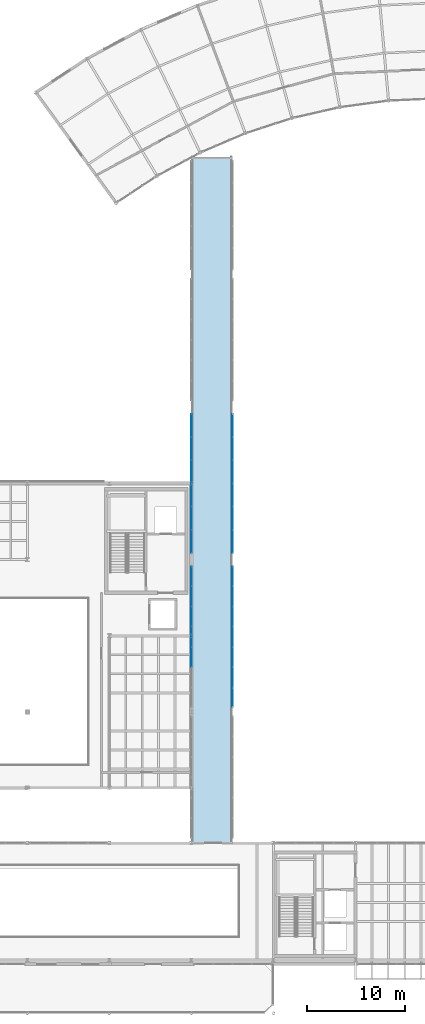
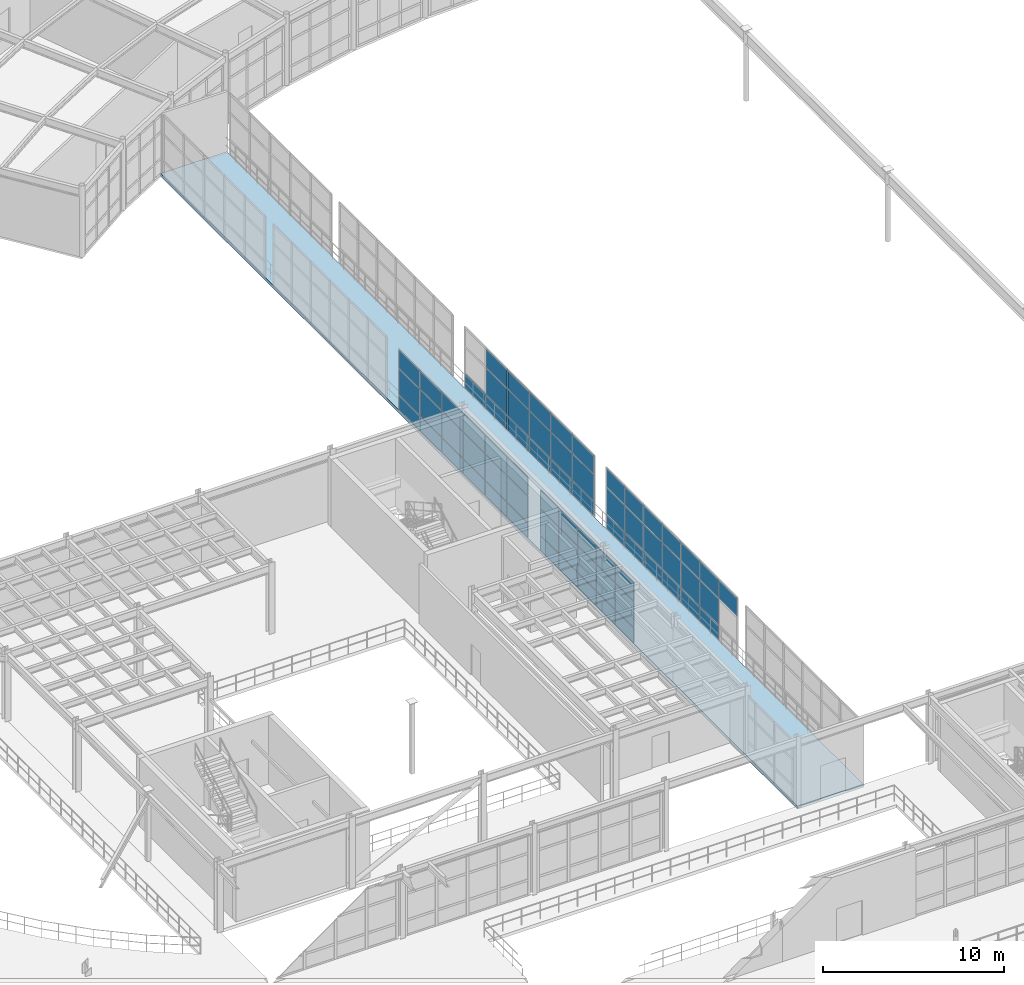
# One storey, part 86 of 116: 68 plates, 1 slab, 4 elements without a shape of their own.
"""IFC4 building model written with IfcOpenShell, lengths in metres."""

from ifc_helpers import new_model, si_unit, direction, frame, origin, origin_2d, place, context, subcontext, project, spatial, polyline, rectangle, outline, extrude, material, layer, layer_set, type_object, element, aggregate, save


model = new_model("IFC4")

# Units and contexts
model_context = context("Model", 3, precision=1e-05, world=origin(), true_north=direction((0.0, 1.0)))
body_context = subcontext(model_context, "Body", "Model", "MODEL_VIEW")
ifc_project = project(units=[si_unit("LENGTHUNIT", "METRE"), si_unit("AREAUNIT", "SQUARE_METRE"), si_unit("VOLUMEUNIT", "CUBIC_METRE"), si_unit("PLANEANGLEUNIT", "RADIAN"), si_unit("MASSUNIT", "GRAM", prefix="KILO")], contexts=[model_context])

# Site, building, storey
site_placement = place(None, origin())
site = spatial("IfcSite", under=ifc_project, at=site_placement, CompositionType="ELEMENT")
building_placement = place(site_placement, origin())
building = spatial("IfcBuilding", under=site, at=building_placement, Name="Selat Folded Stagehouse", CompositionType="ELEMENT")
storey_placement = place(building_placement, frame((0.0, 0.0, 5.39990234375)))
storey = spatial("IfcBuildingStorey", under=building, at=storey_placement, Name="L01", CompositionType="ELEMENT", Elevation=5.39990234375)

# Curtain wall, plates
ifc_material_1 = material(Name="Aluminium 6063-T6", Category="aluminium")
ifc_layer_1 = layer(ifc_material_1, 0.175048828125)
ifc_layer_set_1 = layer_set([ifc_layer_1], Name="Aluminium 6063-T6")
curtain_wall_type = type_object("IfcCurtainWallType", Name="CW-BRG-GLAZ", PredefinedType="NOTDEFINED", material=ifc_layer_set_1)
curtain_wall_1_placement = place(storey_placement, origin())
curtain_wall_1 = element("IfcCurtainWall", 1, at=curtain_wall_1_placement, inside=storey, type_object=curtain_wall_type, Name="L01 curtain wall CW-BRG-02", PredefinedType="NOTDEFINED")
ifc_material_2 = material(Name="Clear laminated double glazing", Category="glass")
ifc_layer_2 = layer(ifc_material_2, 0.028076171875)
ifc_layer_set_2 = layer_set([ifc_layer_2], Name="Clear laminated double glazing")
plate_type_1 = type_object("IfcPlateType", Name="CWP-GLZ-DGU28", PredefinedType="CURTAIN_PANEL", material=ifc_layer_set_2)
plate_1_placement = place(storey_placement, frame((67.199951171875, 36.82861328125, 0.06494140625), z_axis=(0.0, 0.0, 1.0), x_axis=(0.0, 1.0, 0.0)))
plate_1 = element("IfcPlate", 2, at=plate_1_placement, type_object=plate_type_1, Name="CW-07 panel 3.1", PredefinedType="CURTAIN_PANEL", context=body_context, shape_type="SweptSolid", body=[
    extrude(rectangle(XDim=2.011474609375, YDim=0.028076171875, at=origin_2d()), origin(), (0.0, 0.0, 1.0), 0.952392578125),
])
plate_2_placement = place(storey_placement, frame((67.199951171875, 36.82861328125, 1.08251953125), z_axis=(0.0, 0.0, 1.0), x_axis=(0.0, 1.0, 0.0)))
plate_2 = element("IfcPlate", 3, at=plate_2_placement, type_object=plate_type_1, Name="CW-07 panel 3.2", PredefinedType="CURTAIN_PANEL", context=body_context, shape_type="SweptSolid", body=[
    extrude(rectangle(XDim=2.011474609375, YDim=0.028076171875, at=origin_2d()), origin(), (0.0, 0.0, 1.0), 1.735107421875),
])
plate_3_placement = place(storey_placement, frame((67.199951171875, 36.82861328125, 2.8828125), z_axis=(0.0, 0.0, 1.0), x_axis=(0.0, 1.0, 0.0)))
plate_3 = element("IfcPlate", 4, at=plate_3_placement, type_object=plate_type_1, Name="CW-07 panel 3.3", PredefinedType="CURTAIN_PANEL", context=body_context, shape_type="SweptSolid", body=[
    extrude(rectangle(XDim=2.011474609375, YDim=0.028076171875, at=origin_2d()), origin(), (0.0, 0.0, 1.0), 1.202392578125),
])
plate_4_placement = place(storey_placement, frame((67.199951171875, 38.89990234375, 0.06494140625), z_axis=(0.0, 0.0, 1.0), x_axis=(0.0, 1.0, 0.0)))
plate_4 = element("IfcPlate", 5, at=plate_4_placement, type_object=plate_type_1, Name="CW-07 panel 4.1", PredefinedType="CURTAIN_PANEL", context=body_context, shape_type="SweptSolid", body=[
    extrude(rectangle(XDim=2.011474609375, YDim=0.028076171875, at=origin_2d()), origin(), (0.0, 0.0, 1.0), 0.952392578125),
])
plate_5_placement = place(storey_placement, frame((67.199951171875, 38.89990234375, 1.08251953125), z_axis=(0.0, 0.0, 1.0), x_axis=(0.0, 1.0, 0.0)))
plate_5 = element("IfcPlate", 6, at=plate_5_placement, type_object=plate_type_1, Name="CW-07 panel 4.2", PredefinedType="CURTAIN_PANEL", context=body_context, shape_type="SweptSolid", body=[
    extrude(rectangle(XDim=2.011474609375, YDim=0.028076171875, at=origin_2d()), origin(), (0.0, 0.0, 1.0), 1.735107421875),
])
plate_6_placement = place(storey_placement, frame((67.199951171875, 38.89990234375, 2.8828125), z_axis=(0.0, 0.0, 1.0), x_axis=(0.0, 1.0, 0.0)))
plate_6 = element("IfcPlate", 7, at=plate_6_placement, type_object=plate_type_1, Name="CW-07 panel 4.3", PredefinedType="CURTAIN_PANEL", context=body_context, shape_type="SweptSolid", body=[
    extrude(rectangle(XDim=2.011474609375, YDim=0.028076171875, at=origin_2d()), origin(), (0.0, 0.0, 1.0), 1.202392578125),
])
plate_7_placement = place(storey_placement, frame((67.199951171875, 40.971435546875, 0.06494140625), z_axis=(0.0, 0.0, 1.0), x_axis=(0.0, 1.0, 0.0)))
plate_7 = element("IfcPlate", 8, at=plate_7_placement, type_object=plate_type_1, Name="CW-07 panel 5.1", PredefinedType="CURTAIN_PANEL", context=body_context, shape_type="SweptSolid", body=[
    extrude(rectangle(XDim=2.011474609375, YDim=0.028076171875, at=origin_2d()), origin(), (0.0, 0.0, 1.0), 0.952392578125),
])
plate_8_placement = place(storey_placement, frame((67.199951171875, 40.971435546875, 1.08251953125), z_axis=(0.0, 0.0, 1.0), x_axis=(0.0, 1.0, 0.0)))
plate_8 = element("IfcPlate", 9, at=plate_8_placement, type_object=plate_type_1, Name="CW-07 panel 5.2", PredefinedType="CURTAIN_PANEL", context=body_context, shape_type="SweptSolid", body=[
    extrude(rectangle(XDim=2.011474609375, YDim=0.028076171875, at=origin_2d()), origin(), (0.0, 0.0, 1.0), 1.735107421875),
])
plate_9_placement = place(storey_placement, frame((67.199951171875, 40.971435546875, 2.8828125), z_axis=(0.0, 0.0, 1.0), x_axis=(0.0, 1.0, 0.0)))
plate_9 = element("IfcPlate", 10, at=plate_9_placement, type_object=plate_type_1, Name="CW-07 panel 5.3", PredefinedType="CURTAIN_PANEL", context=body_context, shape_type="SweptSolid", body=[
    extrude(rectangle(XDim=2.011474609375, YDim=0.028076171875, at=origin_2d()), origin(), (0.0, 0.0, 1.0), 1.202392578125),
])
plate_10_placement = place(storey_placement, frame((67.199951171875, 43.04296875, 0.06494140625), z_axis=(0.0, 0.0, 1.0), x_axis=(0.0, 1.0, 0.0)))
plate_10 = element("IfcPlate", 11, at=plate_10_placement, type_object=plate_type_1, Name="CW-07 panel 6.1", PredefinedType="CURTAIN_PANEL", context=body_context, shape_type="SweptSolid", body=[
    extrude(rectangle(XDim=2.011474609375, YDim=0.028076171875, at=origin_2d()), origin(), (0.0, 0.0, 1.0), 0.952392578125),
])
plate_11_placement = place(storey_placement, frame((67.199951171875, 43.04296875, 1.08251953125), z_axis=(0.0, 0.0, 1.0), x_axis=(0.0, 1.0, 0.0)))
plate_11 = element("IfcPlate", 12, at=plate_11_placement, type_object=plate_type_1, Name="CW-07 panel 6.2", PredefinedType="CURTAIN_PANEL", context=body_context, shape_type="SweptSolid", body=[
    extrude(rectangle(XDim=2.011474609375, YDim=0.028076171875, at=origin_2d()), origin(), (0.0, 0.0, 1.0), 1.735107421875),
])
plate_12_placement = place(storey_placement, frame((67.199951171875, 43.04296875, 2.8828125), z_axis=(0.0, 0.0, 1.0), x_axis=(0.0, 1.0, 0.0)))
plate_12 = element("IfcPlate", 13, at=plate_12_placement, type_object=plate_type_1, Name="CW-07 panel 6.3", PredefinedType="CURTAIN_PANEL", context=body_context, shape_type="SweptSolid", body=[
    extrude(rectangle(XDim=2.011474609375, YDim=0.028076171875, at=origin_2d()), origin(), (0.0, 0.0, 1.0), 1.202392578125),
])
plate_13_placement = place(storey_placement, frame((67.199951171875, 45.099365234375, 0.06494140625), z_axis=(0.0, 0.0, 1.0), x_axis=(0.0, 1.0, 0.0)))
plate_13 = element("IfcPlate", 14, at=plate_13_placement, type_object=plate_type_1, Name="CW-07 panel 7.1", PredefinedType="CURTAIN_PANEL", context=body_context, shape_type="SweptSolid", body=[
    extrude(rectangle(XDim=1.9814453125, YDim=0.028076171875, at=origin_2d()), origin(), (0.0, 0.0, 1.0), 0.952392578125),
])
plate_14_placement = place(storey_placement, frame((67.199951171875, 45.099365234375, 1.08251953125), z_axis=(0.0, 0.0, 1.0), x_axis=(0.0, 1.0, 0.0)))
plate_14 = element("IfcPlate", 15, at=plate_14_placement, type_object=plate_type_1, Name="CW-07 panel 7.2", PredefinedType="CURTAIN_PANEL", context=body_context, shape_type="SweptSolid", body=[
    extrude(rectangle(XDim=1.9814453125, YDim=0.028076171875, at=origin_2d()), origin(), (0.0, 0.0, 1.0), 1.735107421875),
])
plate_15_placement = place(storey_placement, frame((67.199951171875, 45.099365234375, 2.8828125), z_axis=(0.0, 0.0, 1.0), x_axis=(0.0, 1.0, 0.0)))
plate_15 = element("IfcPlate", 16, at=plate_15_placement, type_object=plate_type_1, Name="CW-07 panel 7.3", PredefinedType="CURTAIN_PANEL", context=body_context, shape_type="SweptSolid", body=[
    extrude(rectangle(XDim=1.9814453125, YDim=0.028076171875, at=origin_2d()), origin(), (0.0, 0.0, 1.0), 1.202392578125),
])
aggregate(curtain_wall_1, [plate_1, plate_2, plate_3, plate_4, plate_5, plate_6, plate_7, plate_8, plate_9, plate_10, plate_11, plate_12, plate_13, plate_14, plate_15])

curtain_wall_2_placement = place(storey_placement, origin())
curtain_wall_2 = element("IfcCurtainWall", 17, at=curtain_wall_2_placement, inside=storey, type_object=curtain_wall_type, Name="L01 curtain wall CW-BRG-03", PredefinedType="NOTDEFINED")
plate_16_placement = place(storey_placement, frame((67.199951171875, 48.65673828125, 0.06494140625), z_axis=(0.0, 0.0, 1.0), x_axis=(0.0, 1.0, 0.0)))
plate_16 = element("IfcPlate", 18, at=plate_16_placement, type_object=plate_type_1, Name="CW-07 panel 1.1", PredefinedType="CURTAIN_PANEL", context=body_context, shape_type="SweptSolid", body=[
    extrude(rectangle(XDim=2.293212890625, YDim=0.028076171875, at=origin_2d()), origin(), (0.0, 0.0, 1.0), 0.952392578125),
])
plate_17_placement = place(storey_placement, frame((67.199951171875, 48.65673828125, 1.08251953125), z_axis=(0.0, 0.0, 1.0), x_axis=(0.0, 1.0, 0.0)))
plate_17 = element("IfcPlate", 19, at=plate_17_placement, type_object=plate_type_1, Name="CW-07 panel 1.2", PredefinedType="CURTAIN_PANEL", context=body_context, shape_type="SweptSolid", body=[
    extrude(rectangle(XDim=2.293212890625, YDim=0.028076171875, at=origin_2d()), origin(), (0.0, 0.0, 1.0), 1.735107421875),
])
plate_18_placement = place(storey_placement, frame((67.199951171875, 48.65673828125, 2.8828125), z_axis=(0.0, 0.0, 1.0), x_axis=(0.0, 1.0, 0.0)))
plate_18 = element("IfcPlate", 20, at=plate_18_placement, type_object=plate_type_1, Name="CW-07 panel 1.3", PredefinedType="CURTAIN_PANEL", context=body_context, shape_type="SweptSolid", body=[
    extrude(rectangle(XDim=2.293212890625, YDim=0.028076171875, at=origin_2d()), origin(), (0.0, 0.0, 1.0), 1.202392578125),
])
plate_19_placement = place(storey_placement, frame((67.199951171875, 51.02490234375, 0.06494140625), z_axis=(0.0, 0.0, 1.0), x_axis=(0.0, 1.0, 0.0)))
plate_19 = element("IfcPlate", 21, at=plate_19_placement, type_object=plate_type_1, Name="CW-07 panel 2.1", PredefinedType="CURTAIN_PANEL", context=body_context, shape_type="SweptSolid", body=[
    extrude(rectangle(XDim=2.3232421875, YDim=0.028076171875, at=origin_2d()), origin(), (0.0, 0.0, 1.0), 0.952392578125),
])
plate_20_placement = place(storey_placement, frame((67.199951171875, 51.02490234375, 1.08251953125), z_axis=(0.0, 0.0, 1.0), x_axis=(0.0, 1.0, 0.0)))
plate_20 = element("IfcPlate", 22, at=plate_20_placement, type_object=plate_type_1, Name="CW-07 panel 2.2", PredefinedType="CURTAIN_PANEL", context=body_context, shape_type="SweptSolid", body=[
    extrude(rectangle(XDim=2.3232421875, YDim=0.028076171875, at=origin_2d()), origin(), (0.0, 0.0, 1.0), 1.735107421875),
])
plate_21_placement = place(storey_placement, frame((67.199951171875, 51.02490234375, 2.8828125), z_axis=(0.0, 0.0, 1.0), x_axis=(0.0, 1.0, 0.0)))
plate_21 = element("IfcPlate", 23, at=plate_21_placement, type_object=plate_type_1, Name="CW-07 panel 2.3", PredefinedType="CURTAIN_PANEL", context=body_context, shape_type="SweptSolid", body=[
    extrude(rectangle(XDim=2.3232421875, YDim=0.028076171875, at=origin_2d()), origin(), (0.0, 0.0, 1.0), 1.202392578125),
])
plate_22_placement = place(storey_placement, frame((67.199951171875, 53.408447265625, 0.06494140625), z_axis=(0.0, 0.0, 1.0), x_axis=(0.0, 1.0, 0.0)))
plate_22 = element("IfcPlate", 24, at=plate_22_placement, type_object=plate_type_1, Name="CW-07 panel 3.1", PredefinedType="CURTAIN_PANEL", context=body_context, shape_type="SweptSolid", body=[
    extrude(rectangle(XDim=2.3232421875, YDim=0.028076171875, at=origin_2d()), origin(), (0.0, 0.0, 1.0), 0.952392578125),
])
plate_23_placement = place(storey_placement, frame((67.199951171875, 53.408447265625, 1.08251953125), z_axis=(0.0, 0.0, 1.0), x_axis=(0.0, 1.0, 0.0)))
plate_23 = element("IfcPlate", 25, at=plate_23_placement, type_object=plate_type_1, Name="CW-07 panel 3.2", PredefinedType="CURTAIN_PANEL", context=body_context, shape_type="SweptSolid", body=[
    extrude(rectangle(XDim=2.3232421875, YDim=0.028076171875, at=origin_2d()), origin(), (0.0, 0.0, 1.0), 1.735107421875),
])
plate_24_placement = place(storey_placement, frame((67.199951171875, 53.408447265625, 2.8828125), z_axis=(0.0, 0.0, 1.0), x_axis=(0.0, 1.0, 0.0)))
plate_24 = element("IfcPlate", 26, at=plate_24_placement, type_object=plate_type_1, Name="CW-07 panel 3.3", PredefinedType="CURTAIN_PANEL", context=body_context, shape_type="SweptSolid", body=[
    extrude(rectangle(XDim=2.3232421875, YDim=0.028076171875, at=origin_2d()), origin(), (0.0, 0.0, 1.0), 1.202392578125),
])
plate_25_placement = place(storey_placement, frame((67.199951171875, 55.791748046875, 0.06494140625), z_axis=(0.0, 0.0, 1.0), x_axis=(0.0, 1.0, 0.0)))
plate_25 = element("IfcPlate", 27, at=plate_25_placement, type_object=plate_type_1, Name="CW-07 panel 4.1", PredefinedType="CURTAIN_PANEL", context=body_context, shape_type="SweptSolid", body=[
    extrude(rectangle(XDim=2.3232421875, YDim=0.028076171875, at=origin_2d()), origin(), (0.0, 0.0, 1.0), 0.952392578125),
])
plate_26_placement = place(storey_placement, frame((67.199951171875, 55.791748046875, 1.08251953125), z_axis=(0.0, 0.0, 1.0), x_axis=(0.0, 1.0, 0.0)))
plate_26 = element("IfcPlate", 28, at=plate_26_placement, type_object=plate_type_1, Name="CW-07 panel 4.2", PredefinedType="CURTAIN_PANEL", context=body_context, shape_type="SweptSolid", body=[
    extrude(rectangle(XDim=2.3232421875, YDim=0.028076171875, at=origin_2d()), origin(), (0.0, 0.0, 1.0), 1.735107421875),
])
plate_27_placement = place(storey_placement, frame((67.199951171875, 55.791748046875, 2.8828125), z_axis=(0.0, 0.0, 1.0), x_axis=(0.0, 1.0, 0.0)))
plate_27 = element("IfcPlate", 29, at=plate_27_placement, type_object=plate_type_1, Name="CW-07 panel 4.3", PredefinedType="CURTAIN_PANEL", context=body_context, shape_type="SweptSolid", body=[
    extrude(rectangle(XDim=2.3232421875, YDim=0.028076171875, at=origin_2d()), origin(), (0.0, 0.0, 1.0), 1.202392578125),
])
plate_28_placement = place(storey_placement, frame((67.199951171875, 58.175048828125, 0.06494140625), z_axis=(0.0, 0.0, 1.0), x_axis=(0.0, 1.0, 0.0)))
plate_28 = element("IfcPlate", 30, at=plate_28_placement, type_object=plate_type_1, Name="CW-07 panel 5.1", PredefinedType="CURTAIN_PANEL", context=body_context, shape_type="SweptSolid", body=[
    extrude(rectangle(XDim=2.3232421875, YDim=0.028076171875, at=origin_2d()), origin(), (0.0, 0.0, 1.0), 0.952392578125),
])
plate_29_placement = place(storey_placement, frame((67.199951171875, 58.175048828125, 1.08251953125), z_axis=(0.0, 0.0, 1.0), x_axis=(0.0, 1.0, 0.0)))
plate_29 = element("IfcPlate", 31, at=plate_29_placement, type_object=plate_type_1, Name="CW-07 panel 5.2", PredefinedType="CURTAIN_PANEL", context=body_context, shape_type="SweptSolid", body=[
    extrude(rectangle(XDim=2.3232421875, YDim=0.028076171875, at=origin_2d()), origin(), (0.0, 0.0, 1.0), 1.735107421875),
])
plate_30_placement = place(storey_placement, frame((67.199951171875, 58.175048828125, 2.8828125), z_axis=(0.0, 0.0, 1.0), x_axis=(0.0, 1.0, 0.0)))
plate_30 = element("IfcPlate", 32, at=plate_30_placement, type_object=plate_type_1, Name="CW-07 panel 5.3", PredefinedType="CURTAIN_PANEL", context=body_context, shape_type="SweptSolid", body=[
    extrude(rectangle(XDim=2.3232421875, YDim=0.028076171875, at=origin_2d()), origin(), (0.0, 0.0, 1.0), 1.202392578125),
])
plate_31_placement = place(storey_placement, frame((67.199951171875, 60.543212890625, 0.06494140625), z_axis=(0.0, 0.0, 1.0), x_axis=(0.0, 1.0, 0.0)))
plate_31 = element("IfcPlate", 33, at=plate_31_placement, type_object=plate_type_1, Name="CW-07 panel 6.1", PredefinedType="CURTAIN_PANEL", context=body_context, shape_type="SweptSolid", body=[
    extrude(rectangle(XDim=2.293212890625, YDim=0.028076171875, at=origin_2d()), origin(), (0.0, 0.0, 1.0), 0.952392578125),
])
plate_32_placement = place(storey_placement, frame((67.199951171875, 60.543212890625, 1.08251953125), z_axis=(0.0, 0.0, 1.0), x_axis=(0.0, 1.0, 0.0)))
plate_32 = element("IfcPlate", 34, at=plate_32_placement, type_object=plate_type_1, Name="CW-07 panel 6.2", PredefinedType="CURTAIN_PANEL", context=body_context, shape_type="SweptSolid", body=[
    extrude(rectangle(XDim=2.293212890625, YDim=0.028076171875, at=origin_2d()), origin(), (0.0, 0.0, 1.0), 1.735107421875),
])
plate_33_placement = place(storey_placement, frame((67.199951171875, 60.543212890625, 2.8828125), z_axis=(0.0, 0.0, 1.0), x_axis=(0.0, 1.0, 0.0)))
plate_33 = element("IfcPlate", 35, at=plate_33_placement, type_object=plate_type_1, Name="CW-07 panel 6.3", PredefinedType="CURTAIN_PANEL", context=body_context, shape_type="SweptSolid", body=[
    extrude(rectangle(XDim=2.293212890625, YDim=0.028076171875, at=origin_2d()), origin(), (0.0, 0.0, 1.0), 1.202392578125),
])
aggregate(curtain_wall_2, [plate_16, plate_17, plate_18, plate_19, plate_20, plate_21, plate_22, plate_23, plate_24, plate_25, plate_26, plate_27, plate_28, plate_29, plate_30, plate_31, plate_32, plate_33])

curtain_wall_3_placement = place(storey_placement, origin())
curtain_wall_3 = element("IfcCurtainWall", 36, at=curtain_wall_3_placement, inside=storey, type_object=curtain_wall_type, Name="L01 curtain wall CW-BRG-07", PredefinedType="NOTDEFINED")
plate_34_placement = place(storey_placement, frame((71.39990234375, 45.099365234375, 0.06494140625), z_axis=(0.0, 0.0, 1.0), x_axis=(0.0, -1.0, 0.0)))
plate_34 = element("IfcPlate", 37, at=plate_34_placement, type_object=plate_type_1, Name="CW-07 panel 1.1", PredefinedType="CURTAIN_PANEL", context=body_context, shape_type="SweptSolid", body=[
    extrude(rectangle(XDim=1.9814453125, YDim=0.028076171875, at=origin_2d()), origin(), (0.0, 0.0, 1.0), 0.952392578125),
])
plate_35_placement = place(storey_placement, frame((71.39990234375, 45.099365234375, 1.08251953125), z_axis=(0.0, 0.0, 1.0), x_axis=(0.0, -1.0, 0.0)))
plate_35 = element("IfcPlate", 38, at=plate_35_placement, type_object=plate_type_1, Name="CW-07 panel 1.2", PredefinedType="CURTAIN_PANEL", context=body_context, shape_type="SweptSolid", body=[
    extrude(rectangle(XDim=1.9814453125, YDim=0.028076171875, at=origin_2d()), origin(), (0.0, 0.0, 1.0), 1.735107421875),
])
plate_36_placement = place(storey_placement, frame((71.39990234375, 45.099365234375, 2.8828125), z_axis=(0.0, 0.0, 1.0), x_axis=(0.0, -1.0, 0.0)))
plate_36 = element("IfcPlate", 39, at=plate_36_placement, type_object=plate_type_1, Name="CW-07 panel 1.3", PredefinedType="CURTAIN_PANEL", context=body_context, shape_type="SweptSolid", body=[
    extrude(rectangle(XDim=1.9814453125, YDim=0.028076171875, at=origin_2d()), origin(), (0.0, 0.0, 1.0), 1.202392578125),
])
plate_37_placement = place(storey_placement, frame((71.39990234375, 43.04296875, 0.06494140625), z_axis=(0.0, 0.0, 1.0), x_axis=(0.0, -1.0, 0.0)))
plate_37 = element("IfcPlate", 40, at=plate_37_placement, type_object=plate_type_1, Name="CW-07 panel 2.1", PredefinedType="CURTAIN_PANEL", context=body_context, shape_type="SweptSolid", body=[
    extrude(rectangle(XDim=2.011474609375, YDim=0.028076171875, at=origin_2d()), origin(), (0.0, 0.0, 1.0), 0.952392578125),
])
plate_38_placement = place(storey_placement, frame((71.39990234375, 43.04296875, 1.08251953125), z_axis=(0.0, 0.0, 1.0), x_axis=(0.0, -1.0, 0.0)))
plate_38 = element("IfcPlate", 41, at=plate_38_placement, type_object=plate_type_1, Name="CW-07 panel 2.2", PredefinedType="CURTAIN_PANEL", context=body_context, shape_type="SweptSolid", body=[
    extrude(rectangle(XDim=2.011474609375, YDim=0.028076171875, at=origin_2d()), origin(), (0.0, 0.0, 1.0), 1.735107421875),
])
plate_39_placement = place(storey_placement, frame((71.39990234375, 43.04296875, 2.8828125), z_axis=(0.0, 0.0, 1.0), x_axis=(0.0, -1.0, 0.0)))
plate_39 = element("IfcPlate", 42, at=plate_39_placement, type_object=plate_type_1, Name="CW-07 panel 2.3", PredefinedType="CURTAIN_PANEL", context=body_context, shape_type="SweptSolid", body=[
    extrude(rectangle(XDim=2.011474609375, YDim=0.028076171875, at=origin_2d()), origin(), (0.0, 0.0, 1.0), 1.202392578125),
])
plate_40_placement = place(storey_placement, frame((71.39990234375, 40.971435546875, 0.06494140625), z_axis=(0.0, 0.0, 1.0), x_axis=(0.0, -1.0, 0.0)))
plate_40 = element("IfcPlate", 43, at=plate_40_placement, type_object=plate_type_1, Name="CW-07 panel 3.1", PredefinedType="CURTAIN_PANEL", context=body_context, shape_type="SweptSolid", body=[
    extrude(rectangle(XDim=2.011474609375, YDim=0.028076171875, at=origin_2d()), origin(), (0.0, 0.0, 1.0), 0.952392578125),
])
plate_41_placement = place(storey_placement, frame((71.39990234375, 40.971435546875, 1.08251953125), z_axis=(0.0, 0.0, 1.0), x_axis=(0.0, -1.0, 0.0)))
plate_41 = element("IfcPlate", 44, at=plate_41_placement, type_object=plate_type_1, Name="CW-07 panel 3.2", PredefinedType="CURTAIN_PANEL", context=body_context, shape_type="SweptSolid", body=[
    extrude(rectangle(XDim=2.011474609375, YDim=0.028076171875, at=origin_2d()), origin(), (0.0, 0.0, 1.0), 1.735107421875),
])
plate_42_placement = place(storey_placement, frame((71.39990234375, 40.971435546875, 2.8828125), z_axis=(0.0, 0.0, 1.0), x_axis=(0.0, -1.0, 0.0)))
plate_42 = element("IfcPlate", 45, at=plate_42_placement, type_object=plate_type_1, Name="CW-07 panel 3.3", PredefinedType="CURTAIN_PANEL", context=body_context, shape_type="SweptSolid", body=[
    extrude(rectangle(XDim=2.011474609375, YDim=0.028076171875, at=origin_2d()), origin(), (0.0, 0.0, 1.0), 1.202392578125),
])
plate_43_placement = place(storey_placement, frame((71.39990234375, 38.89990234375, 0.06494140625), z_axis=(0.0, 0.0, 1.0), x_axis=(0.0, -1.0, 0.0)))
plate_43 = element("IfcPlate", 46, at=plate_43_placement, type_object=plate_type_1, Name="CW-07 panel 4.1", PredefinedType="CURTAIN_PANEL", context=body_context, shape_type="SweptSolid", body=[
    extrude(rectangle(XDim=2.011474609375, YDim=0.028076171875, at=origin_2d()), origin(), (0.0, 0.0, 1.0), 0.952392578125),
])
plate_44_placement = place(storey_placement, frame((71.39990234375, 38.89990234375, 1.08251953125), z_axis=(0.0, 0.0, 1.0), x_axis=(0.0, -1.0, 0.0)))
plate_44 = element("IfcPlate", 47, at=plate_44_placement, type_object=plate_type_1, Name="CW-07 panel 4.2", PredefinedType="CURTAIN_PANEL", context=body_context, shape_type="SweptSolid", body=[
    extrude(rectangle(XDim=2.011474609375, YDim=0.028076171875, at=origin_2d()), origin(), (0.0, 0.0, 1.0), 1.735107421875),
])
plate_45_placement = place(storey_placement, frame((71.39990234375, 38.89990234375, 2.8828125), z_axis=(0.0, 0.0, 1.0), x_axis=(0.0, -1.0, 0.0)))
plate_45 = element("IfcPlate", 48, at=plate_45_placement, type_object=plate_type_1, Name="CW-07 panel 4.3", PredefinedType="CURTAIN_PANEL", context=body_context, shape_type="SweptSolid", body=[
    extrude(rectangle(XDim=2.011474609375, YDim=0.028076171875, at=origin_2d()), origin(), (0.0, 0.0, 1.0), 1.202392578125),
])
plate_46_placement = place(storey_placement, frame((71.39990234375, 36.82861328125, 0.06494140625), z_axis=(0.0, 0.0, 1.0), x_axis=(0.0, -1.0, 0.0)))
plate_46 = element("IfcPlate", 49, at=plate_46_placement, type_object=plate_type_1, Name="CW-07 panel 5.1", PredefinedType="CURTAIN_PANEL", context=body_context, shape_type="SweptSolid", body=[
    extrude(rectangle(XDim=2.011474609375, YDim=0.028076171875, at=origin_2d()), origin(), (0.0, 0.0, 1.0), 0.952392578125),
])
plate_47_placement = place(storey_placement, frame((71.39990234375, 36.82861328125, 1.08251953125), z_axis=(0.0, 0.0, 1.0), x_axis=(0.0, -1.0, 0.0)))
plate_47 = element("IfcPlate", 50, at=plate_47_placement, type_object=plate_type_1, Name="CW-07 panel 5.2", PredefinedType="CURTAIN_PANEL", context=body_context, shape_type="SweptSolid", body=[
    extrude(rectangle(XDim=2.011474609375, YDim=0.028076171875, at=origin_2d()), origin(), (0.0, 0.0, 1.0), 1.735107421875),
])
plate_48_placement = place(storey_placement, frame((71.39990234375, 36.82861328125, 2.8828125), z_axis=(0.0, 0.0, 1.0), x_axis=(0.0, -1.0, 0.0)))
plate_48 = element("IfcPlate", 51, at=plate_48_placement, type_object=plate_type_1, Name="CW-07 panel 5.3", PredefinedType="CURTAIN_PANEL", context=body_context, shape_type="SweptSolid", body=[
    extrude(rectangle(XDim=2.011474609375, YDim=0.028076171875, at=origin_2d()), origin(), (0.0, 0.0, 1.0), 1.202392578125),
])
plate_49_placement = place(storey_placement, frame((71.39990234375, 34.757080078125, 0.06494140625), z_axis=(0.0, 0.0, 1.0), x_axis=(0.0, -1.0, 0.0)))
plate_49 = element("IfcPlate", 52, at=plate_49_placement, type_object=plate_type_1, Name="CW-07 panel 6.1", PredefinedType="CURTAIN_PANEL", context=body_context, shape_type="SweptSolid", body=[
    extrude(rectangle(XDim=2.011474609375, YDim=0.028076171875, at=origin_2d()), origin(), (0.0, 0.0, 1.0), 0.952392578125),
])
plate_50_placement = place(storey_placement, frame((71.39990234375, 34.757080078125, 1.08251953125), z_axis=(0.0, 0.0, 1.0), x_axis=(0.0, -1.0, 0.0)))
plate_50 = element("IfcPlate", 53, at=plate_50_placement, type_object=plate_type_1, Name="CW-07 panel 6.2", PredefinedType="CURTAIN_PANEL", context=body_context, shape_type="SweptSolid", body=[
    extrude(rectangle(XDim=2.011474609375, YDim=0.028076171875, at=origin_2d()), origin(), (0.0, 0.0, 1.0), 1.735107421875),
])
plate_51_placement = place(storey_placement, frame((71.39990234375, 34.757080078125, 2.8828125), z_axis=(0.0, 0.0, 1.0), x_axis=(0.0, -1.0, 0.0)))
plate_51 = element("IfcPlate", 54, at=plate_51_placement, type_object=plate_type_1, Name="CW-07 panel 6.3", PredefinedType="CURTAIN_PANEL", context=body_context, shape_type="SweptSolid", body=[
    extrude(rectangle(XDim=2.011474609375, YDim=0.028076171875, at=origin_2d()), origin(), (0.0, 0.0, 1.0), 1.202392578125),
])
plate_52_placement = place(storey_placement, frame((71.39990234375, 32.70068359375, 2.8828125), z_axis=(0.0, 0.0, 1.0), x_axis=(0.0, -1.0, 0.0)))
plate_52 = element("IfcPlate", 55, at=plate_52_placement, type_object=plate_type_1, Name="CW-07 panel 7.3", PredefinedType="CURTAIN_PANEL", context=body_context, shape_type="SweptSolid", body=[
    extrude(rectangle(XDim=1.9814453125, YDim=0.028076171875, at=origin_2d()), origin(), (0.0, 0.0, 1.0), 1.202392578125),
])
aggregate(curtain_wall_3, [plate_34, plate_35, plate_36, plate_37, plate_38, plate_39, plate_40, plate_41, plate_42, plate_43, plate_44, plate_45, plate_46, plate_47, plate_48, plate_49, plate_50, plate_51, plate_52])

curtain_wall_4_placement = place(storey_placement, origin())
curtain_wall_4 = element("IfcCurtainWall", 56, at=curtain_wall_4_placement, inside=storey, type_object=curtain_wall_type, Name="L01 curtain wall CW-BRG-08", PredefinedType="NOTDEFINED")
ifc_material_3 = material(Name="Acoustic insulated spandrel cassette", Category="aluminium")
ifc_layer_3 = layer(ifc_material_3, 0.055908203125)
ifc_layer_set_3 = layer_set([ifc_layer_3], Name="Acoustic insulated spandrel cassette")
plate_type_2 = type_object("IfcPlateType", Name="CWP-SPD-ALU56", PredefinedType="CURTAIN_PANEL", material=ifc_layer_set_3)
plate_53_placement = place(storey_placement, frame((71.39990234375, 60.543212890625, 0.06494140625), z_axis=(0.0, 0.0, 1.0), x_axis=(0.0, -1.0, 0.0)))
plate_53 = element("IfcPlate", 57, at=plate_53_placement, type_object=plate_type_2, Name="CW-07 panel 1.1", PredefinedType="CURTAIN_PANEL", context=body_context, shape_type="SweptSolid", body=[
    extrude(rectangle(XDim=2.293212890625, YDim=0.055908203125, at=origin_2d()), origin(), (0.0, 0.0, 1.0), 0.952392578125),
])
plate_54_placement = place(storey_placement, frame((71.39990234375, 58.175048828125, 0.06494140625), z_axis=(0.0, 0.0, 1.0), x_axis=(0.0, -1.0, 0.0)))
plate_54 = element("IfcPlate", 58, at=plate_54_placement, type_object=plate_type_2, Name="CW-07 panel 2.1", PredefinedType="CURTAIN_PANEL", context=body_context, shape_type="SweptSolid", body=[
    extrude(rectangle(XDim=2.3232421875, YDim=0.055908203125, at=origin_2d()), origin(), (0.0, 0.0, 1.0), 0.952392578125),
])
plate_55_placement = place(storey_placement, frame((71.39990234375, 58.175048828125, 1.08251953125), z_axis=(0.0, 0.0, 1.0), x_axis=(0.0, -1.0, 0.0)))
plate_55 = element("IfcPlate", 59, at=plate_55_placement, type_object=plate_type_2, Name="CW-07 panel 2.2", PredefinedType="CURTAIN_PANEL", context=body_context, shape_type="SweptSolid", body=[
    extrude(rectangle(XDim=2.3232421875, YDim=0.055908203125, at=origin_2d()), origin(), (0.0, 0.0, 1.0), 1.735107421875),
])
plate_56_placement = place(storey_placement, frame((71.39990234375, 58.175048828125, 2.8828125), z_axis=(0.0, 0.0, 1.0), x_axis=(0.0, -1.0, 0.0)))
plate_56 = element("IfcPlate", 60, at=plate_56_placement, type_object=plate_type_2, Name="CW-07 panel 2.3", PredefinedType="CURTAIN_PANEL", context=body_context, shape_type="SweptSolid", body=[
    extrude(rectangle(XDim=2.3232421875, YDim=0.055908203125, at=origin_2d()), origin(), (0.0, 0.0, 1.0), 1.202392578125),
])
plate_57_placement = place(storey_placement, frame((71.39990234375, 55.791748046875, 0.06494140625), z_axis=(0.0, 0.0, 1.0), x_axis=(0.0, -1.0, 0.0)))
plate_57 = element("IfcPlate", 61, at=plate_57_placement, type_object=plate_type_2, Name="CW-07 panel 3.1", PredefinedType="CURTAIN_PANEL", context=body_context, shape_type="SweptSolid", body=[
    extrude(rectangle(XDim=2.3232421875, YDim=0.055908203125, at=origin_2d()), origin(), (0.0, 0.0, 1.0), 0.952392578125),
])
plate_58_placement = place(storey_placement, frame((71.39990234375, 55.791748046875, 1.08251953125), z_axis=(0.0, 0.0, 1.0), x_axis=(0.0, -1.0, 0.0)))
plate_58 = element("IfcPlate", 62, at=plate_58_placement, type_object=plate_type_2, Name="CW-07 panel 3.2", PredefinedType="CURTAIN_PANEL", context=body_context, shape_type="SweptSolid", body=[
    extrude(rectangle(XDim=2.3232421875, YDim=0.055908203125, at=origin_2d()), origin(), (0.0, 0.0, 1.0), 1.735107421875),
])
plate_59_placement = place(storey_placement, frame((71.39990234375, 55.791748046875, 2.8828125), z_axis=(0.0, 0.0, 1.0), x_axis=(0.0, -1.0, 0.0)))
plate_59 = element("IfcPlate", 63, at=plate_59_placement, type_object=plate_type_2, Name="CW-07 panel 3.3", PredefinedType="CURTAIN_PANEL", context=body_context, shape_type="SweptSolid", body=[
    extrude(rectangle(XDim=2.3232421875, YDim=0.055908203125, at=origin_2d()), origin(), (0.0, 0.0, 1.0), 1.202392578125),
])
plate_60_placement = place(storey_placement, frame((71.39990234375, 53.408447265625, 0.06494140625), z_axis=(0.0, 0.0, 1.0), x_axis=(0.0, -1.0, 0.0)))
plate_60 = element("IfcPlate", 64, at=plate_60_placement, type_object=plate_type_2, Name="CW-07 panel 4.1", PredefinedType="CURTAIN_PANEL", context=body_context, shape_type="SweptSolid", body=[
    extrude(rectangle(XDim=2.3232421875, YDim=0.055908203125, at=origin_2d()), origin(), (0.0, 0.0, 1.0), 0.952392578125),
])
plate_61_placement = place(storey_placement, frame((71.39990234375, 53.408447265625, 1.08251953125), z_axis=(0.0, 0.0, 1.0), x_axis=(0.0, -1.0, 0.0)))
plate_61 = element("IfcPlate", 65, at=plate_61_placement, type_object=plate_type_2, Name="CW-07 panel 4.2", PredefinedType="CURTAIN_PANEL", context=body_context, shape_type="SweptSolid", body=[
    extrude(rectangle(XDim=2.3232421875, YDim=0.055908203125, at=origin_2d()), origin(), (0.0, 0.0, 1.0), 1.735107421875),
])
plate_62_placement = place(storey_placement, frame((71.39990234375, 53.408447265625, 2.8828125), z_axis=(0.0, 0.0, 1.0), x_axis=(0.0, -1.0, 0.0)))
plate_62 = element("IfcPlate", 66, at=plate_62_placement, type_object=plate_type_2, Name="CW-07 panel 4.3", PredefinedType="CURTAIN_PANEL", context=body_context, shape_type="SweptSolid", body=[
    extrude(rectangle(XDim=2.3232421875, YDim=0.055908203125, at=origin_2d()), origin(), (0.0, 0.0, 1.0), 1.202392578125),
])
plate_63_placement = place(storey_placement, frame((71.39990234375, 51.02490234375, 0.06494140625), z_axis=(0.0, 0.0, 1.0), x_axis=(0.0, -1.0, 0.0)))
plate_63 = element("IfcPlate", 67, at=plate_63_placement, type_object=plate_type_2, Name="CW-07 panel 5.1", PredefinedType="CURTAIN_PANEL", context=body_context, shape_type="SweptSolid", body=[
    extrude(rectangle(XDim=2.3232421875, YDim=0.055908203125, at=origin_2d()), origin(), (0.0, 0.0, 1.0), 0.952392578125),
])
plate_64_placement = place(storey_placement, frame((71.39990234375, 51.02490234375, 1.08251953125), z_axis=(0.0, 0.0, 1.0), x_axis=(0.0, -1.0, 0.0)))
plate_64 = element("IfcPlate", 68, at=plate_64_placement, type_object=plate_type_2, Name="CW-07 panel 5.2", PredefinedType="CURTAIN_PANEL", context=body_context, shape_type="SweptSolid", body=[
    extrude(rectangle(XDim=2.3232421875, YDim=0.055908203125, at=origin_2d()), origin(), (0.0, 0.0, 1.0), 1.735107421875),
])
plate_65_placement = place(storey_placement, frame((71.39990234375, 51.02490234375, 2.8828125), z_axis=(0.0, 0.0, 1.0), x_axis=(0.0, -1.0, 0.0)))
plate_65 = element("IfcPlate", 69, at=plate_65_placement, type_object=plate_type_2, Name="CW-07 panel 5.3", PredefinedType="CURTAIN_PANEL", context=body_context, shape_type="SweptSolid", body=[
    extrude(rectangle(XDim=2.3232421875, YDim=0.055908203125, at=origin_2d()), origin(), (0.0, 0.0, 1.0), 1.202392578125),
])
plate_66_placement = place(storey_placement, frame((71.39990234375, 48.65673828125, 0.06494140625), z_axis=(0.0, 0.0, 1.0), x_axis=(0.0, -1.0, 0.0)))
plate_66 = element("IfcPlate", 70, at=plate_66_placement, type_object=plate_type_2, Name="CW-07 panel 6.1", PredefinedType="CURTAIN_PANEL", context=body_context, shape_type="SweptSolid", body=[
    extrude(rectangle(XDim=2.293212890625, YDim=0.055908203125, at=origin_2d()), origin(), (0.0, 0.0, 1.0), 0.952392578125),
])
plate_67_placement = place(storey_placement, frame((71.39990234375, 48.65673828125, 1.08251953125), z_axis=(0.0, 0.0, 1.0), x_axis=(0.0, -1.0, 0.0)))
plate_67 = element("IfcPlate", 71, at=plate_67_placement, type_object=plate_type_2, Name="CW-07 panel 6.2", PredefinedType="CURTAIN_PANEL", context=body_context, shape_type="SweptSolid", body=[
    extrude(rectangle(XDim=2.293212890625, YDim=0.055908203125, at=origin_2d()), origin(), (0.0, 0.0, 1.0), 1.735107421875),
])
plate_68_placement = place(storey_placement, frame((71.39990234375, 48.65673828125, 2.8828125), z_axis=(0.0, 0.0, 1.0), x_axis=(0.0, -1.0, 0.0)))
plate_68 = element("IfcPlate", 72, at=plate_68_placement, type_object=plate_type_2, Name="CW-07 panel 6.3", PredefinedType="CURTAIN_PANEL", context=body_context, shape_type="SweptSolid", body=[
    extrude(rectangle(XDim=2.293212890625, YDim=0.055908203125, at=origin_2d()), origin(), (0.0, 0.0, 1.0), 1.202392578125),
])
aggregate(curtain_wall_4, [plate_53, plate_54, plate_55, plate_56, plate_57, plate_58, plate_59, plate_60, plate_61, plate_62, plate_63, plate_64, plate_65, plate_66, plate_67, plate_68])

# Slab
ifc_material_4 = material(Name="Concrete C40/50", Category="concrete")
ifc_layer_4 = layer(ifc_material_4, 0.2099609375)
ifc_layer_set_4 = layer_set([ifc_layer_4], Name="Concrete C40/50")
slab_type = type_object("IfcSlabType", Name="SLAB-BRG-210", PredefinedType="FLOOR", material=ifc_layer_set_4)
slab_placement = place(storey_placement, frame((0.0, 0.0, -0.2099609375)))
element("IfcSlab", 73, at=slab_placement, inside=storey, type_object=slab_type, Name="L01 V5 floor slab SL-L01-BR1", PredefinedType="FLOOR", context=body_context, shape_type="SweptSolid", body=[
    extrude(outline(polyline([(67.199951171875, 17.800048828125), (71.39990234375, 17.800048828125), (71.39990234375, 88.0), (67.199951171875, 88.0), (67.199951171875, 17.800048828125)])), origin(), (0.0, 0.0, 1.0), 0.2099609375),
])

save(model, "model.ifc")
